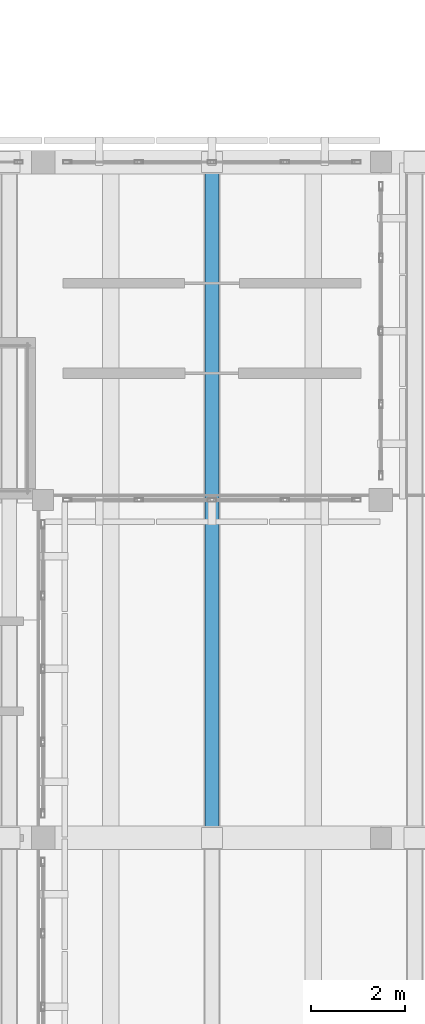
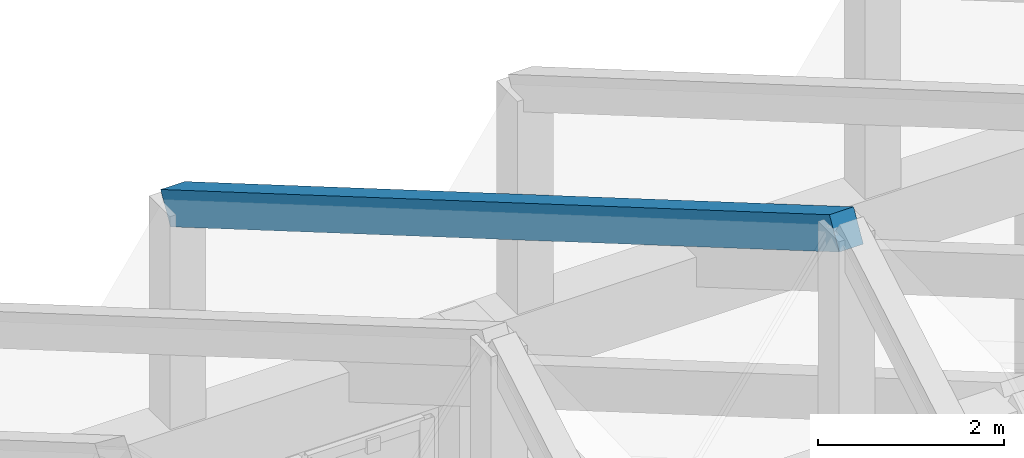
# One storey, part 28 of 171: 1 beam.
"""IFC4 building model written with IfcOpenShell, lengths in metres."""

from ifc_helpers import new_model, si_unit, direction, frame, origin, origin_2d, place, context, subcontext, project, spatial, rectangle, extrude, material, material_profile, profile_set, type_object, element, save


model = new_model("IFC4")

# Units and contexts
model_context = context("Model", 3, precision=1e-05, world=origin(), true_north=direction((0.0, 1.0)))
body_context = subcontext(model_context, "Body", "Model", "MODEL_VIEW")
ifc_project = project(units=[si_unit("LENGTHUNIT", "METRE"), si_unit("AREAUNIT", "SQUARE_METRE"), si_unit("VOLUMEUNIT", "CUBIC_METRE"), si_unit("PLANEANGLEUNIT", "RADIAN"), si_unit("MASSUNIT", "GRAM", prefix="KILO")], contexts=[model_context])

# Site, building, storey
site_placement = place(None, origin())
site = spatial("IfcSite", under=ifc_project, at=site_placement, CompositionType="ELEMENT")
building_placement = place(site_placement, origin())
building = spatial("IfcBuilding", under=site, at=building_placement, Name="Aldebral Square Health Centre", CompositionType="ELEMENT")
storey_placement = place(building_placement, frame((0.0, 0.0, 4.5)))
storey = spatial("IfcBuildingStorey", under=building, at=storey_placement, Name="L01", CompositionType="ELEMENT", Elevation=4.5)

# Beam
ifc_material = material(Name="Concrete C40/50", Category="concrete")
ifc_material_profile = material_profile(ifc_material, rectangle(XDim=0.300048828125, YDim=0.419921875, at=origin_2d()), Name="RC 300x420")
ifc_profile_set = profile_set([ifc_material_profile], Name="Concrete C40/50")
beam_type = type_object("IfcBeamType", Name="BM-FP2", PredefinedType="BEAM", material=ifc_profile_set)
beam_placement = place(storey_placement, frame((75.60009765625, 86.39990234375, 15.64990234375), z_axis=(0.0, 0.863783681228, -0.503862830584), x_axis=(-1.0, 0.0, 0.0)))
element("IfcBeam", 1, at=beam_placement, inside=storey, type_object=beam_type, Name="Folded-plate north ridge rib 3", PredefinedType="BEAM", context=body_context, shape_type="SweptSolid", body=[
    extrude(rectangle(XDim=0.300048828125, YDim=0.419921875, at=origin_2d()), origin(), (0.0, 0.0, 1.0), 16.6708984375),
])

save(model, "model.ifc")
